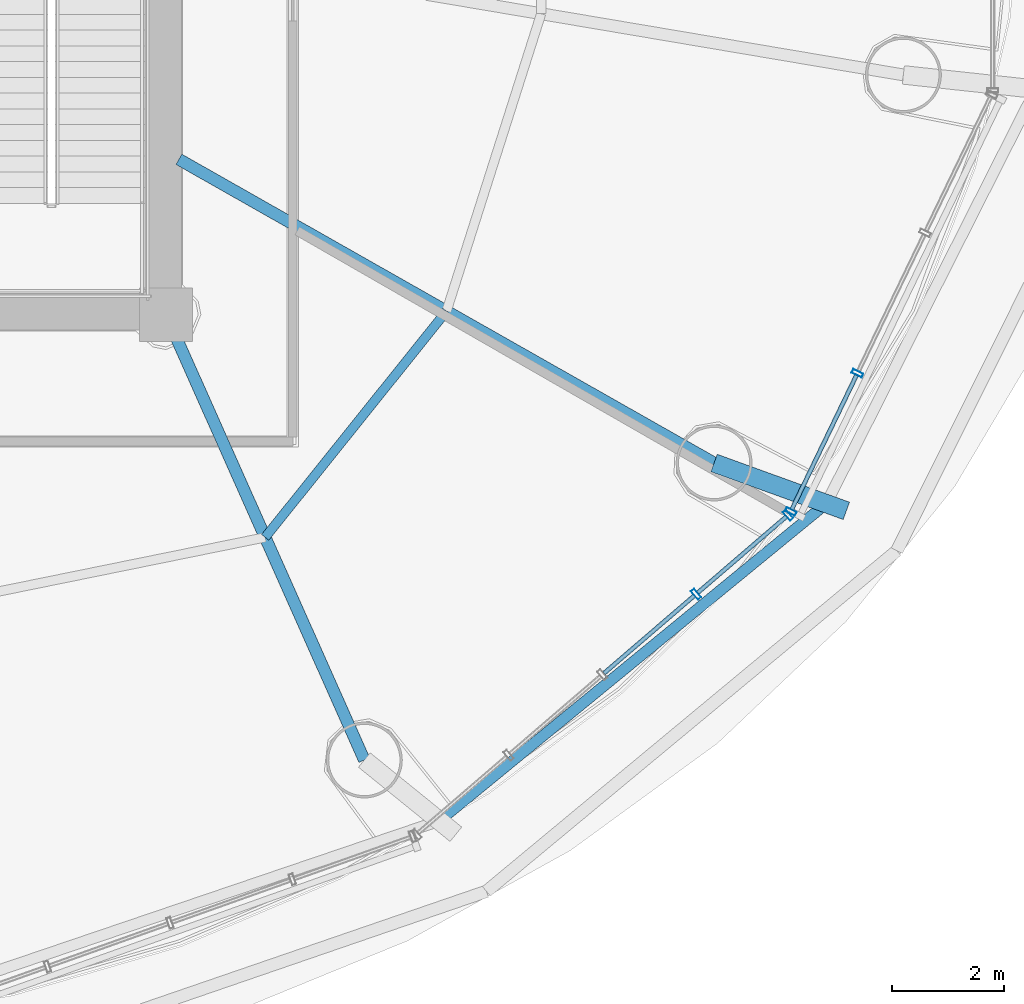
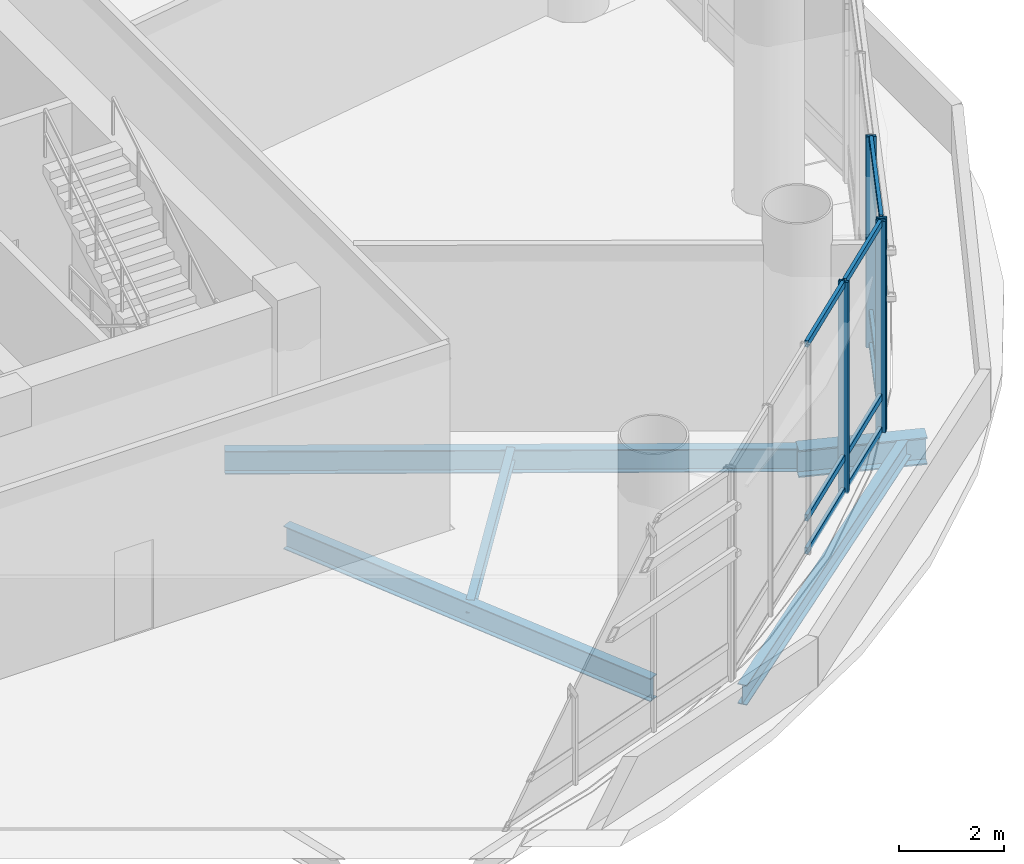
# One storey, part 10 of 29: 13 members, 5 beams, 2 elements without a shape of their own.
"""IFC4 building model written with IfcOpenShell, lengths in metres."""

import ifcopenshell
import ifcopenshell.guid

model = None  # the IFC model being written
_history = None  # IfcOwnerHistory: only IFC2X3 demands one
_inside = {}  # id of a spatial element -> (the spatial element, [elements in it])
_under = {}  # id of a project, library or spatial element -> (it, [spatial elements below it])
_declared = {}  # id of a project -> (the project, [libraries it declares])
_typed = {}  # id of a type object -> (the type object, [elements of that type])
_made_of = {}  # id of a material, layer set ... -> (it, [elements and type objects made of it])


def new_model(schema):
    """Start an empty IFC model of exactly this schema.

    Asked for "IFC4X3", IfcOpenShell would pick the latest addendum, in which some entities
    have other attributes; the version numbers below select the first issue.
    IFC2X3 requires an IfcOwnerHistory on every rooted entity: one is made here for all.
    """
    global model, _history
    if schema == "IFC4X3":
        model = ifcopenshell.file(schema_version=(4, 3, 0, 0))
    else:
        model = ifcopenshell.file(schema=schema)
    _inside.clear()
    _under.clear()
    _declared.clear()
    _typed.clear()
    _made_of.clear()
    _history = None
    if model.schema == "IFC2X3":
        org = make("IfcOrganization", Name="unknown")
        user = make(
            "IfcPersonAndOrganization",
            ThePerson=make("IfcPerson", FamilyName="unknown"),
            TheOrganization=org,
        )
        app = make(
            "IfcApplication",
            ApplicationDeveloper=org,
            Version="unknown",
            ApplicationFullName="unknown",
            ApplicationIdentifier="unknown",
        )
        _history = make(
            "IfcOwnerHistory",
            OwningUser=user,
            OwningApplication=app,
            ChangeAction="ADDED",
            CreationDate=0,
        )
    return model


def make(cls, **values):
    """One entity of the class cls with the attributes given. An attribute that is None is left unset."""
    return model.create_entity(
        cls, **{name: value for name, value in values.items() if value is not None}
    )


def rooted(cls, **values):
    """An entity with a GlobalId (a new one), such as an element, a storey or a relation."""
    return make(cls, GlobalId=ifcopenshell.guid.new(), OwnerHistory=_history, **values)


def si_unit(unit_type, name, prefix=None):
    """IfcSIUnit, for example si_unit("LENGTHUNIT", "METRE", prefix="MILLI")."""
    return make("IfcSIUnit", UnitType=unit_type, Prefix=prefix, Name=name)


def assignment(units):
    """IfcUnitAssignment: the units of a project."""
    return None if units is None else make("IfcUnitAssignment", Units=units)


def point(xyz):
    """IfcCartesianPoint."""
    return None if xyz is None else make("IfcCartesianPoint", Coordinates=xyz)


def direction(xyz):
    """IfcDirection."""
    return None if xyz is None else make("IfcDirection", DirectionRatios=xyz)


def frame(location, z_axis=None, x_axis=None):
    """IfcAxis2Placement3D, a coordinate frame: its origin and axes. An axis left out is left unset."""
    return make(
        "IfcAxis2Placement3D",
        Location=point(location),
        Axis=direction(z_axis),
        RefDirection=direction(x_axis),
    )


def frame_2d(location, x_axis=None):
    """IfcAxis2Placement2D, a coordinate frame in the plane: its origin and x axis."""
    return make(
        "IfcAxis2Placement2D", Location=point(location), RefDirection=direction(x_axis)
    )


def origin():
    """The frame at (0, 0, 0) with its axes left unset."""
    return frame((0.0, 0.0, 0.0))


def origin_2d():
    """The frame at (0, 0) in the plane with its x axis left unset."""
    return frame_2d((0.0, 0.0))


def place(relative_to, where):
    """IfcLocalPlacement: puts the frame where relative to a parent placement (None: the world)."""
    return make(
        "IfcLocalPlacement", PlacementRelTo=relative_to, RelativePlacement=where
    )


def context(
    kind, dimensions, precision=None, world=None, true_north=None, identifier=None
):
    """IfcGeometricRepresentationContext, for example the 3D "Model" context."""
    return make(
        "IfcGeometricRepresentationContext",
        ContextIdentifier=identifier,
        ContextType=kind,
        CoordinateSpaceDimension=dimensions,
        Precision=precision,
        WorldCoordinateSystem=world,
        TrueNorth=true_north,
    )


def subcontext(parent, identifier, kind, view, scale=None):
    """IfcGeometricRepresentationSubContext, for example "Body" below "Model"."""
    return make(
        "IfcGeometricRepresentationSubContext",
        ContextIdentifier=identifier,
        ContextType=kind,
        ParentContext=parent,
        TargetScale=scale,
        TargetView=view,
    )


def project(units=None, contexts=None):
    """IfcProject with its units and contexts."""
    return rooted(
        "IfcProject",
        Name="project",
        RepresentationContexts=contexts,
        UnitsInContext=assignment(units),
    )


def spatial(cls, under=None, at=None, **own):
    """A site, building, storey or space (cls), placed at a placement, below another one or the project."""
    s = rooted(cls, ObjectPlacement=at, **own)
    if under is not None:
        _under.setdefault(under.id(), (under, []))[1].append(s)
    return s


def profile(cls, at=None, kind="AREA", **sizes):
    """A parametric profile (cls). Its sizes go by their IFC names, for example OverallWidth=200.0."""
    return make(cls, ProfileType=kind, Position=at, **sizes)


def hollow_rectangle(**sizes):
    """IfcRectangleHollowProfileDef."""
    return profile("IfcRectangleHollowProfileDef", **sizes)


def i_section(**sizes):
    """IfcIShapeProfileDef."""
    return profile("IfcIShapeProfileDef", **sizes)


def extrude(swept, where, along, depth):
    """IfcExtrudedAreaSolid: the profile swept, set in the frame where, extruded along a direction by depth."""
    return make(
        "IfcExtrudedAreaSolid",
        SweptArea=swept,
        Position=where,
        ExtrudedDirection=direction(along),
        Depth=depth,
    )


def shape(context_of_items, identifier, shape_type, items):
    """IfcShapeRepresentation: the items that make up one representation, for example the "Body"."""
    return make(
        "IfcShapeRepresentation",
        ContextOfItems=context_of_items,
        RepresentationIdentifier=identifier,
        RepresentationType=shape_type,
        Items=items,
    )


def source(mapping_origin, context_of_items, identifier, shape_type, items):
    """IfcRepresentationMap: a shape defined once, which mapped items show again and again."""
    return make(
        "IfcRepresentationMap",
        MappingOrigin=mapping_origin,
        MappedRepresentation=shape(context_of_items, identifier, shape_type, items),
    )


def transform(
    local_origin,
    x_axis=None,
    y_axis=None,
    z_axis=None,
    scale=None,
    scale2=None,
    scale3=None,
    uniform=True,
):
    """IfcCartesianTransformationOperator3D, or its non-uniform kind. x_axis, y_axis, z_axis: its Axis1, 2, 3."""
    if uniform:
        return make(
            "IfcCartesianTransformationOperator3D",
            Axis1=direction(x_axis),
            Axis2=direction(y_axis),
            LocalOrigin=point(local_origin),
            Scale=scale,
            Axis3=direction(z_axis),
        )
    return make(
        "IfcCartesianTransformationOperator3DnonUniform",
        Axis1=direction(x_axis),
        Axis2=direction(y_axis),
        LocalOrigin=point(local_origin),
        Scale=scale,
        Axis3=direction(z_axis),
        Scale2=scale2,
        Scale3=scale3,
    )


def mapped(mapping_source, mapping_target):
    """IfcMappedItem: shows the shape of a source again, moved by a transform."""
    return make(
        "IfcMappedItem", MappingSource=mapping_source, MappingTarget=mapping_target
    )


def material(Name=None, Category=None):
    """IfcMaterial."""
    return make("IfcMaterial", Name=Name, Category=Category)


def material_profile(
    of_material, cross_section, Name=None, Category=None, Priority=None
):
    """IfcMaterialProfile: a cross section and its material."""
    return make(
        "IfcMaterialProfile",
        Name=Name,
        Material=of_material,
        Profile=cross_section,
        Priority=Priority,
        Category=Category,
    )


def profile_set(profiles, Name=None, composite=None):
    """IfcMaterialProfileSet."""
    return make(
        "IfcMaterialProfileSet",
        Name=Name,
        MaterialProfiles=profiles,
        CompositeProfile=composite,
    )


def made_of(thing, what):
    """Note that an element or type object is made of a material, layer set ...; save() writes the relation."""
    if what is not None:
        _made_of.setdefault(what.id(), (what, []))[1].append(thing)
    return thing


def type_object(cls, material=None, **own):
    """A type object (cls), such as IfcWallType, which elements share."""
    return made_of(rooted(cls, **own), material)


def element(
    cls,
    number,
    at=None,
    inside=None,
    cuts=None,
    type_object=None,
    material=None,
    context=None,
    identifier="Body",
    shape_type=None,
    held_by="IfcProductDefinitionShape",
    body=None,
    shapes=None,
    **own,
):
    """One element of the class cls, such as IfcWall. Its Tag is "e" and its number.

    at: its placement. inside: the storey or other place that contains it. cuts: it is an
    opening in that element (IfcRelVoidsElement). A single representation is given by context,
    identifier, shape_type and body (its items); several are given by shapes. held_by: the class
    of the entity that holds the representations. save() writes the other relations.
    """
    e = rooted(cls, Tag="e%d" % number, ObjectPlacement=at, **own)
    if body is not None:
        shapes = [shape(context, identifier, shape_type, body)]
    if shapes is not None:
        e.Representation = make(held_by, Representations=shapes)
    if inside is not None:
        _inside.setdefault(inside.id(), (inside, []))[1].append(e)
    if cuts is not None:
        rooted(
            "IfcRelVoidsElement", RelatingBuildingElement=cuts, RelatedOpeningElement=e
        )
    if type_object is not None:
        _typed.setdefault(type_object.id(), (type_object, []))[1].append(e)
    return made_of(e, material)


def aggregate(whole, parts):
    """IfcRelAggregates: a whole, such as a stair, and the parts it consists of."""
    return rooted("IfcRelAggregates", RelatingObject=whole, RelatedObjects=parts)


def save(model, path):
    """Write the relations noted so far, then the file.

    IfcRelAggregates (storeys below a building ...), IfcRelContainedInSpatialStructure (elements
    in a storey), IfcRelDefinesByType, IfcRelAssociatesMaterial and IfcRelDeclares: one each for
    every whole, place, type object, material and project.
    """
    for whole, parts in _under.values():
        aggregate(whole, parts)
    for where, things in _inside.values():
        rooted(
            "IfcRelContainedInSpatialStructure",
            RelatedElements=things,
            RelatingStructure=where,
        )
    for kind, things in _typed.values():
        rooted("IfcRelDefinesByType", RelatedObjects=things, RelatingType=kind)
    for what, things in _made_of.values():
        rooted("IfcRelAssociatesMaterial", RelatedObjects=things, RelatingMaterial=what)
    for by, libraries in _declared.values():
        rooted("IfcRelDeclares", RelatingContext=by, RelatedDefinitions=libraries)
    model.write(path)


model = new_model("IFC4")

# Units and contexts
model_context = context("Model", 3, precision=1e-05, world=origin(), true_north=direction((-0.2419218956, 0.970295726276)))
body_context = subcontext(model_context, "Body", "Model", "MODEL_VIEW")
ifc_project = project(units=[si_unit("LENGTHUNIT", "METRE"), si_unit("AREAUNIT", "SQUARE_METRE"), si_unit("VOLUMEUNIT", "CUBIC_METRE"), si_unit("PLANEANGLEUNIT", "RADIAN"), si_unit("MASSUNIT", "GRAM", prefix="KILO")], contexts=[model_context])

# Site, building, storey
site_placement = place(None, origin())
site = spatial("IfcSite", under=ifc_project, at=site_placement, CompositionType="ELEMENT")
building_placement = place(site_placement, origin())
building = spatial("IfcBuilding", under=site, at=building_placement, Name="Cobrevalo Terracotta Tower", CompositionType="ELEMENT")
storey_placement = place(building_placement, frame((0.0, 0.0, 130.199951171875)))
storey = spatial("IfcBuildingStorey", under=building, at=storey_placement, Name="L34", CompositionType="ELEMENT", Elevation=130.199951171875)

# Beams
ifc_material_1 = material(Name="Steel S355", Category="steel")
ifc_material_profile_1 = material_profile(ifc_material_1, i_section(OverallWidth=0.2109375, OverallDepth=0.5390625, WebThickness=0.01171875, FlangeThickness=0.018798828125, at=origin_2d()), Name="W 530x109")
ifc_profile_set_1 = profile_set([ifc_material_profile_1], Name="Steel S355")
beam_type_1 = type_object("IfcBeamType", Name="Structural Beam W 530x109 (Steel S355)", PredefinedType="BEAM", material=ifc_profile_set_1)
beam_1_placement = place(storey_placement, frame((50.528076171875, 10.87744140625, -0.719482421875), z_axis=(-0.406804395691, 0.913515289224, 0.0), x_axis=(-0.913515289224, -0.406804395691, 0.0)))
element("IfcBeam", 1, at=beam_1_placement, inside=storey, type_object=beam_type_1, Name="L34 radial floor girder 14", PredefinedType="BEAM", context=body_context, shape_type="SweptSolid", body=[
    extrude(i_section(OverallWidth=0.2109375, OverallDepth=0.5390625, WebThickness=0.01171875, FlangeThickness=0.018798828125, at=origin_2d()), origin(), (0.0, 0.0, 1.0), 8.672607421875),
])
beam_2_placement = place(storey_placement, frame((56.749755859375, 16.160888671875, -0.719482421875), z_axis=(-0.869744912936, 0.493501556656, 0.0), x_axis=(-0.493501556656, -0.869744912936, 0.0)))
element("IfcBeam", 2, at=beam_2_placement, inside=storey, type_object=beam_type_1, Name="L34 radial floor girder 15", PredefinedType="BEAM", context=body_context, shape_type="SweptSolid", body=[
    extrude(i_section(OverallWidth=0.2109375, OverallDepth=0.5390625, WebThickness=0.01171875, FlangeThickness=0.018798828125, at=origin_2d()), origin(), (0.0, 0.0, 1.0), 10.945556640625),
])
ifc_material_profile_2 = material_profile(ifc_material_1, i_section(OverallWidth=0.3291015625, OverallDepth=0.635009765625, WebThickness=0.017822265625, FlangeThickness=0.031005859375, at=origin_2d()), Name="W 610x241")
ifc_profile_set_2 = profile_set([ifc_material_profile_2], Name="Steel S355")
beam_type_2 = type_object("IfcBeamType", Name="Structural Beam W 610x241 (Steel S355)", PredefinedType="BEAM", material=ifc_profile_set_2)
beam_3_placement = place(storey_placement, frame((59.1025390625, 15.309326171875, -0.767333984375), z_axis=(-0.94030515472, 0.340332508007, 0.0), x_axis=(-0.340332508007, -0.94030515472, 0.0)))
element("IfcBeam", 3, at=beam_3_placement, inside=storey, type_object=beam_type_2, Name="L34 setback step-link girder 15", PredefinedType="BEAM", context=body_context, shape_type="SweptSolid", body=[
    extrude(i_section(OverallWidth=0.3291015625, OverallDepth=0.635009765625, WebThickness=0.017822265625, FlangeThickness=0.031005859375, at=origin_2d()), origin(), (0.0, 0.0, 1.0), 2.502197265625),
])
ifc_material_profile_3 = material_profile(ifc_material_1, i_section(OverallWidth=0.1650390625, OverallDepth=0.31005859375, WebThickness=0.005859375, FlangeThickness=0.009765625, at=origin_2d()), Name="W 310x38.7")
ifc_profile_set_3 = profile_set([ifc_material_profile_3], Name="Steel S355")
beam_type_3 = type_object("IfcBeamType", Name="Structural Joist W 310x38.7 (Steel S355)", PredefinedType="JOIST", material=ifc_profile_set_3)
beam_4_placement = place(storey_placement, frame((48.76416015625, 14.838623046875, -0.60498046875), z_axis=(0.625526123133, 0.780203223063, 0.0), x_axis=(-0.780203223063, 0.625526123133, 0.0)))
element("IfcBeam", 4, at=beam_4_placement, inside=storey, type_object=beam_type_3, Name="L34 circumferential secondary floor joist 14", PredefinedType="JOIST", context=body_context, shape_type="SweptSolid", body=[
    extrude(i_section(OverallWidth=0.1650390625, OverallDepth=0.31005859375, WebThickness=0.005859375, FlangeThickness=0.009765625, at=origin_2d()), origin(), (0.0, 0.0, 1.0), 5.156494140625),
])
ifc_material_profile_4 = material_profile(ifc_material_1, i_section(OverallWidth=0.194091796875, OverallDepth=0.468994140625, WebThickness=0.011474609375, FlangeThickness=0.0205078125, at=origin_2d()), Name="W 460x106")
ifc_profile_set_4 = profile_set([ifc_material_profile_4], Name="Steel S355")
beam_type_4 = type_object("IfcBeamType", Name="Structural Spandrel W 460x106 (Steel S355)", PredefinedType="SPANDREL", material=ifc_profile_set_4)
beam_5_placement = place(storey_placement, frame((51.861572265625, 9.79638671875, -0.6845703125), z_axis=(0.773400923541, 0.633917196064, 0.0), x_axis=(-0.633917196064, 0.773400923541, 0.0)))
element("IfcBeam", 5, at=beam_5_placement, inside=storey, type_object=beam_type_4, Name="L34 perimeter ring spandrel 14", PredefinedType="SPANDREL", context=body_context, shape_type="SweptSolid", body=[
    extrude(i_section(OverallWidth=0.194091796875, OverallDepth=0.468994140625, WebThickness=0.011474609375, FlangeThickness=0.0205078125, at=origin_2d()), origin(), (0.0, 0.0, 1.0), 8.900390625),
])

# Curtain wall, members
ifc_material_2 = material(Name="Anodized aluminium", Category="aluminium")
curtain_wall_type = type_object("IfcCurtainWallType", Name="Double-height sky-lobby panoramic curtain wall CW-SK", PredefinedType="NOTDEFINED", material=ifc_material_2)
curtain_wall_1_placement = place(storey_placement, origin())
curtain_wall_1 = element("IfcCurtainWall", 6, at=curtain_wall_1_placement, inside=storey, type_object=curtain_wall_type, Name="L34 curtain wall CW-SK-L34-S14", PredefinedType="NOTDEFINED")
ifc_material_profile_5 = material_profile(ifc_material_2, hollow_rectangle(XDim=0.074951171875, YDim=0.199951171875, WallThickness=0.0048828125, at=origin_2d()), Name="CWM 75x200")
ifc_profile_set_5 = profile_set([ifc_material_profile_5], Name="Anodized aluminium")
member_type_1 = type_object("IfcMemberType", Name="Lower/mid tower unitised mullion 75x200", PredefinedType="MULLION", material=ifc_profile_set_5)
shared_shape_1 = source(origin(), body_context, "Body", "SweptSolid", [
    extrude(hollow_rectangle(XDim=0.074951171875, YDim=0.199951171875, WallThickness=0.0048828125, at=origin_2d()), origin(), (0.0, 0.0, 1.0), 4.929931640625),
])
member_1_placement = place(storey_placement, frame((56.429443359375, 13.828125, 0.0), z_axis=(0.0, 0.0, 1.0), x_axis=(0.758441546142, 0.65174106905, 0.0)))
member_1 = element("IfcMember", 7, at=member_1_placement, type_object=member_type_1, Name="CW-SK-L34-S14 vertical mullion 04", PredefinedType="MULLION", context=body_context, shape_type="MappedRepresentation", body=[
    mapped(shared_shape_1, transform((0.0, 0.0, 0.0), scale=1.0)),
])
member_2_placement = place(storey_placement, frame((58.066162109375, 15.234619140625, 0.0), z_axis=(0.0, 0.0, 1.0), x_axis=(0.758441546142, 0.65174106905, 0.0)))
member_2 = element("IfcMember", 8, at=member_2_placement, type_object=member_type_1, Name="CW-SK-L34-S14 vertical mullion 05", PredefinedType="MULLION", context=body_context, shape_type="MappedRepresentation", body=[
    mapped(shared_shape_1, transform((0.0, 0.0, 0.0), scale=1.0)),
])

curtain_wall_2_placement = place(storey_placement, origin())
curtain_wall_2 = element("IfcCurtainWall", 9, at=curtain_wall_2_placement, inside=storey, type_object=curtain_wall_type, Name="L34 curtain wall CW-SK-L34-S15", PredefinedType="NOTDEFINED")
member_3_placement = place(storey_placement, frame((58.114013671875, 15.296875, 0.0), z_axis=(0.0, 0.0, 1.0), x_axis=(0.434209440271, 0.900811945957, 0.0)))
member_3 = element("IfcMember", 10, at=member_3_placement, type_object=member_type_1, Name="CW-SK-L34-S15 vertical mullion 01", PredefinedType="MULLION", context=body_context, shape_type="MappedRepresentation", body=[
    mapped(shared_shape_1, transform((0.0, 0.0, 0.0), scale=1.0)),
])
member_4_placement = place(storey_placement, frame((59.299560546875, 17.756591796875, 0.0), z_axis=(0.0, 0.0, 1.0), x_axis=(0.434209440271, 0.900811945957, 0.0)))
member_4 = element("IfcMember", 11, at=member_4_placement, type_object=member_type_1, Name="CW-SK-L34-S15 vertical mullion 02", PredefinedType="MULLION", context=body_context, shape_type="MappedRepresentation", body=[
    mapped(shared_shape_1, transform((0.0, 0.0, 0.0), scale=1.0)),
])
ifc_material_profile_6 = material_profile(ifc_material_2, hollow_rectangle(XDim=0.074951171875, YDim=0.14990234375, WallThickness=0.00439453125, at=origin_2d()), Name="CWT 75x150")
ifc_profile_set_6 = profile_set([ifc_material_profile_6], Name="Anodized aluminium")
member_type_2 = type_object("IfcMemberType", Name="Tower unitised aluminium transom 75x150", PredefinedType="USERDEFINED", material=ifc_profile_set_6)
shared_shape_2 = source(origin(), body_context, "Body", "SweptSolid", [
    extrude(hollow_rectangle(XDim=0.074951171875, YDim=0.14990234375, WallThickness=0.00439453125, at=origin_2d()), origin(), (0.0, 0.0, 1.0), 2.650634765625),
])
member_5_placement = place(storey_placement, frame((58.13134765625, 15.332763671875, 0.050048828125), z_axis=(0.434197756715, 0.900817577572, 0.0), x_axis=(-0.900817577572, 0.434197756715, 0.0)))
member_5 = element("IfcMember", 12, at=member_5_placement, type_object=member_type_2, Name="CW-SK-L34-S15 transom B01-T1", ObjectType="TRANSOM", PredefinedType="USERDEFINED", context=body_context, shape_type="MappedRepresentation", body=[
    mapped(shared_shape_2, transform((0.0, 0.0, 0.0), scale=1.0)),
])
member_6_placement = place(storey_placement, frame((58.13134765625, 15.332763671875, 0.820068359375), z_axis=(0.434197756715, 0.900817577572, 0.0), x_axis=(-0.900817577572, 0.434197756715, 0.0)))
member_6 = element("IfcMember", 13, at=member_6_placement, type_object=member_type_2, Name="CW-SK-L34-S15 transom B01-T2", ObjectType="TRANSOM", PredefinedType="USERDEFINED", context=body_context, shape_type="MappedRepresentation", body=[
    mapped(shared_shape_2, transform((0.0, 0.0, 0.0), scale=1.0)),
])
member_7_placement = place(storey_placement, frame((58.13134765625, 15.332763671875, 4.880126953125), z_axis=(0.434197756715, 0.900817577572, 0.0), x_axis=(-0.900817577572, 0.434197756715, 0.0)))
member_7 = element("IfcMember", 14, at=member_7_placement, type_object=member_type_2, Name="CW-SK-L34-S15 transom B01-T3", ObjectType="TRANSOM", PredefinedType="USERDEFINED", context=body_context, shape_type="MappedRepresentation", body=[
    mapped(shared_shape_2, transform((0.0, 0.0, 0.0), scale=1.0)),
])
aggregate(curtain_wall_2, [member_3, member_4, member_5, member_6, member_7])

# Member
shared_shape_3 = source(origin(), body_context, "Body", "SweptSolid", [
    extrude(hollow_rectangle(XDim=0.074951171875, YDim=0.14990234375, WallThickness=0.00439453125, at=origin_2d()), origin(), (0.0, 0.0, 1.0), 2.078125),
])
member_8_placement = place(storey_placement, frame((56.459716796875, 13.854248046875, 0.050048828125), z_axis=(0.758426741801, 0.651758296703, 0.0), x_axis=(-0.651758296703, 0.758426741801, 0.0)))
member_8 = element("IfcMember", 15, at=member_8_placement, type_object=member_type_2, Name="CW-SK-L34-S14 transom B04-T1", ObjectType="TRANSOM", PredefinedType="USERDEFINED", context=body_context, shape_type="MappedRepresentation", body=[
    mapped(shared_shape_3, transform((0.0, 0.0, 0.0), scale=1.0)),
])

member_9_placement = place(storey_placement, frame((56.459716796875, 13.854248046875, 0.820068359375), z_axis=(0.758426741801, 0.651758296703, 0.0), x_axis=(-0.651758296703, 0.758426741801, 0.0)))
member_9 = element("IfcMember", 16, at=member_9_placement, type_object=member_type_2, Name="CW-SK-L34-S14 transom B04-T2", ObjectType="TRANSOM", PredefinedType="USERDEFINED", context=body_context, shape_type="MappedRepresentation", body=[
    mapped(shared_shape_3, transform((0.0, 0.0, 0.0), scale=1.0)),
])

member_10_placement = place(storey_placement, frame((56.459716796875, 13.854248046875, 4.880126953125), z_axis=(0.758426741801, 0.651758296703, 0.0), x_axis=(-0.651758296703, 0.758426741801, 0.0)))
member_10 = element("IfcMember", 17, at=member_10_placement, type_object=member_type_2, Name="CW-SK-L34-S14 transom B04-T3", ObjectType="TRANSOM", PredefinedType="USERDEFINED", context=body_context, shape_type="MappedRepresentation", body=[
    mapped(shared_shape_3, transform((0.0, 0.0, 0.0), scale=1.0)),
])

shared_shape_4 = source(origin(), body_context, "Body", "SweptSolid", [
    extrude(hollow_rectangle(XDim=0.074951171875, YDim=0.14990234375, WallThickness=0.00439453125, at=origin_2d()), origin(), (0.0, 0.0, 1.0), 2.1181640625),
])
member_11_placement = place(storey_placement, frame((54.792724609375, 12.421630859375, 0.050048828125), z_axis=(0.758401678508, 0.651787460785, 0.0), x_axis=(-0.651787460785, 0.758401678508, 0.0)))
member_11 = element("IfcMember", 18, at=member_11_placement, type_object=member_type_2, Name="CW-SK-L34-S14 transom B03-T1", ObjectType="TRANSOM", PredefinedType="USERDEFINED", context=body_context, shape_type="MappedRepresentation", body=[
    mapped(shared_shape_4, transform((0.0, 0.0, 0.0), scale=1.0)),
])

member_12_placement = place(storey_placement, frame((54.792724609375, 12.421630859375, 0.820068359375), z_axis=(0.758401678508, 0.651787460785, 0.0), x_axis=(-0.651787460785, 0.758401678508, 0.0)))
member_12 = element("IfcMember", 19, at=member_12_placement, type_object=member_type_2, Name="CW-SK-L34-S14 transom B03-T2", ObjectType="TRANSOM", PredefinedType="USERDEFINED", context=body_context, shape_type="MappedRepresentation", body=[
    mapped(shared_shape_4, transform((0.0, 0.0, 0.0), scale=1.0)),
])

member_13_placement = place(storey_placement, frame((54.792724609375, 12.421630859375, 4.880126953125), z_axis=(0.758401678508, 0.651787460785, 0.0), x_axis=(-0.651787460785, 0.758401678508, 0.0)))
member_13 = element("IfcMember", 20, at=member_13_placement, type_object=member_type_2, Name="CW-SK-L34-S14 transom B03-T3", ObjectType="TRANSOM", PredefinedType="USERDEFINED", context=body_context, shape_type="MappedRepresentation", body=[
    mapped(shared_shape_4, transform((0.0, 0.0, 0.0), scale=1.0)),
])

aggregate(curtain_wall_1, [member_1, member_2, member_11, member_12, member_13, member_8, member_9, member_10])

save(model, "model.ifc")
